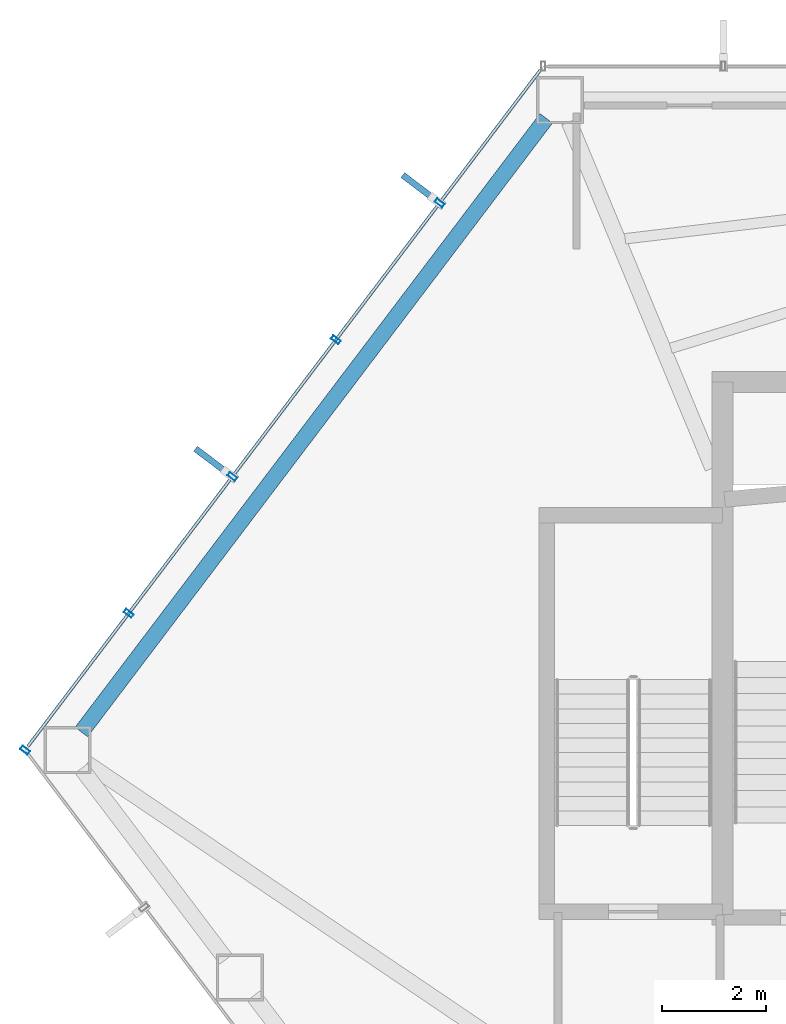
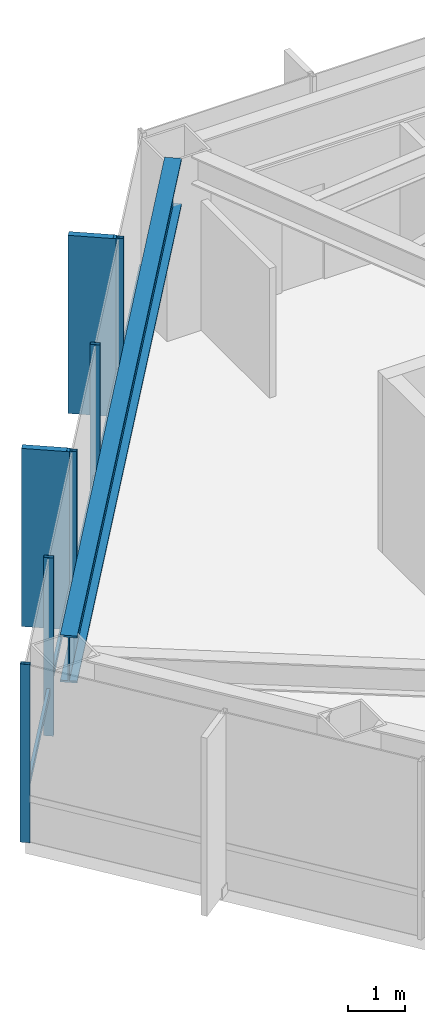
# One storey, part 10 of 24: 8 members, 1 beam, 1 element without a shape of its own.
"""IFC4 building model written with IfcOpenShell, lengths in metres."""

from ifc_helpers import new_model, si_unit, direction, frame, origin, origin_2d, place, context, subcontext, project, spatial, rectangle, hollow_rectangle, i_section, extrude, material, layer, layer_set, material_profile, profile_set, type_object, element, aggregate, save


model = new_model("IFC4")

# Units and contexts
model_context = context("Model", 3, precision=1e-05, world=origin(), true_north=direction((0.0, 1.0)))
body_context = subcontext(model_context, "Body", "Model", "MODEL_VIEW")
ifc_project = project(units=[si_unit("LENGTHUNIT", "METRE"), si_unit("AREAUNIT", "SQUARE_METRE"), si_unit("VOLUMEUNIT", "CUBIC_METRE"), si_unit("PLANEANGLEUNIT", "RADIAN"), si_unit("MASSUNIT", "GRAM", prefix="KILO")], contexts=[model_context])

# Site, building, storey
site_placement = place(None, origin())
site = spatial("IfcSite", under=ifc_project, at=site_placement, CompositionType="ELEMENT")
building_placement = place(site_placement, origin())
building = spatial("IfcBuilding", under=site, at=building_placement, Name="Zarrinselat Tower", CompositionType="ELEMENT")
storey_placement = place(building_placement, frame((0.0, 0.0, 96.89990234375)))
storey = spatial("IfcBuildingStorey", under=building, at=storey_placement, Name="L23", CompositionType="ELEMENT", Elevation=96.89990234375)

# Beam
ifc_material_1 = material(Name="Steel S460M", Category="steel")
ifc_material_profile_1 = material_profile(ifc_material_1, i_section(OverallWidth=0.302001953125, OverallDepth=1.008056640625, WebThickness=0.02099609375, FlangeThickness=0.0400390625, at=origin_2d()), Name="HEM 1000")
ifc_profile_set_1 = profile_set([ifc_material_profile_1], Name="Steel S460M")
beam_type = type_object("IfcBeamType", Name="BM-HEM1000", PredefinedType="BEAM", material=ifc_profile_set_1)
beam_placement = place(storey_placement, frame((16.31640625, 36.7451171875, 3.316162109375), z_axis=(0.603849401406, 0.797098425805, 0.0), x_axis=(-0.797098425805, 0.603849401406, 0.0)))
element("IfcBeam", 1, at=beam_placement, inside=storey, type_object=beam_type, Name="L23 Perimeter Spandrel Girder SP05", PredefinedType="BEAM", context=body_context, shape_type="SweptSolid", body=[
    extrude(i_section(OverallWidth=0.302001953125, OverallDepth=1.008056640625, WebThickness=0.02099609375, FlangeThickness=0.0400390625, at=origin_2d()), origin(), (0.0, 0.0, 1.0), 14.748291015625),
])

# Curtain wall, members
ifc_material_2 = material(Name="Extruded Aluminium Alloy EN AW-6063 T6", Category="aluminium")
ifc_layer = layer(ifc_material_2, 0.18505859375)
ifc_layer_set = layer_set([ifc_layer], Name="Extruded Aluminium Alloy EN AW-6063 T6")
curtain_wall_type = type_object("IfcCurtainWallType", Name="CWS-OFF", PredefinedType="NOTDEFINED", material=ifc_layer_set)
curtain_wall_placement = place(storey_placement, origin())
curtain_wall = element("IfcCurtainWall", 2, at=curtain_wall_placement, inside=storey, type_object=curtain_wall_type, Name="L23 Unitised Curtain Wall CW-L23-E02", PredefinedType="NOTDEFINED")
ifc_material_3 = material(Name="Extruded Aluminium Alloy EN AW-6063 T6", Category="aluminium")
ifc_material_profile_2 = material_profile(ifc_material_3, hollow_rectangle(XDim=0.080078125, YDim=0.179931640625, WallThickness=0.0048828125, at=origin_2d()), Name="RHS 180x80x5")
ifc_profile_set_2 = profile_set([ifc_material_profile_2], Name="Extruded Aluminium Alloy EN AW-6063 T6")
member_type_1 = type_object("IfcMemberType", Name="MEM-CW-MUL", PredefinedType="MULLION", material=ifc_profile_set_2)
member_1_placement = place(storey_placement, frame((23.17822265625, 46.879150390625, 0.0), z_axis=(0.0, 0.0, 1.0), x_axis=(-0.603854877249, -0.7970942775, 0.0)))
member_1 = element("IfcMember", 3, at=member_1_placement, type_object=member_type_1, Name="CW-L23-E02 Mullion 1", PredefinedType="MULLION", context=body_context, shape_type="SweptSolid", body=[
    extrude(hollow_rectangle(XDim=0.080078125, YDim=0.179931640625, WallThickness=0.0048828125, at=origin_2d()), origin(), (0.0, 0.0, 1.0), 3.820068359375),
])
member_2_placement = place(storey_placement, frame((21.192626953125, 44.25830078125, 0.0), z_axis=(0.0, 0.0, 1.0), x_axis=(-0.603854877249, -0.7970942775, 0.0)))
member_2 = element("IfcMember", 4, at=member_2_placement, type_object=member_type_1, Name="CW-L23-E02 Mullion 2", PredefinedType="MULLION", context=body_context, shape_type="SweptSolid", body=[
    extrude(hollow_rectangle(XDim=0.080078125, YDim=0.179931640625, WallThickness=0.0048828125, at=origin_2d()), origin(), (0.0, 0.0, 1.0), 3.820068359375),
])
member_3_placement = place(storey_placement, frame((19.207275390625, 41.6376953125, 0.0), z_axis=(0.0, 0.0, 1.0), x_axis=(-0.603854877249, -0.7970942775, 0.0)))
member_3 = element("IfcMember", 5, at=member_3_placement, type_object=member_type_1, Name="CW-L23-E02 Mullion 3", PredefinedType="MULLION", context=body_context, shape_type="SweptSolid", body=[
    extrude(hollow_rectangle(XDim=0.080078125, YDim=0.179931640625, WallThickness=0.0048828125, at=origin_2d()), origin(), (0.0, 0.0, 1.0), 3.820068359375),
])
member_4_placement = place(storey_placement, frame((17.2216796875, 39.016845703125, 0.0), z_axis=(0.0, 0.0, 1.0), x_axis=(-0.603854877249, -0.7970942775, 0.0)))
member_4 = element("IfcMember", 6, at=member_4_placement, type_object=member_type_1, Name="CW-L23-E02 Mullion 4", PredefinedType="MULLION", context=body_context, shape_type="SweptSolid", body=[
    extrude(hollow_rectangle(XDim=0.080078125, YDim=0.179931640625, WallThickness=0.0048828125, at=origin_2d()), origin(), (0.0, 0.0, 1.0), 3.820068359375),
])
member_5_placement = place(storey_placement, frame((15.236328125, 36.39599609375, 0.0), z_axis=(0.0, 0.0, 1.0), x_axis=(-0.603854877249, -0.7970942775, 0.0)))
member_5 = element("IfcMember", 7, at=member_5_placement, type_object=member_type_1, Name="CW-L23-E02 Mullion 5", PredefinedType="MULLION", context=body_context, shape_type="SweptSolid", body=[
    extrude(hollow_rectangle(XDim=0.080078125, YDim=0.179931640625, WallThickness=0.0048828125, at=origin_2d()), origin(), (0.0, 0.0, 1.0), 3.820068359375),
])
ifc_material_4 = material(Name="Extruded Aluminium Alloy EN AW-6063 T6", Category="aluminium")
ifc_material_profile_3 = material_profile(ifc_material_4, hollow_rectangle(XDim=0.06005859375, YDim=0.139892578125, WallThickness=0.00390625, at=origin_2d()), Name="RHS 140x60x4")
ifc_profile_set_3 = profile_set([ifc_material_profile_3], Name="Extruded Aluminium Alloy EN AW-6063 T6")
member_type_2 = type_object("IfcMemberType", Name="MEM-CW-TRN", PredefinedType="USERDEFINED", material=ifc_profile_set_3)
member_6_placement = place(storey_placement, frame((25.109375, 49.42822265625, 0.9501953125), z_axis=(-0.603860867961, -0.797089739079, 0.0), x_axis=(0.797089739079, -0.603860867961, 0.0)))
member_6 = element("IfcMember", 8, at=member_6_placement, type_object=member_type_2, Name="CW-L23-E02 Transom 1", ObjectType="TRANSOM", PredefinedType="USERDEFINED", context=body_context, shape_type="SweptSolid", body=[
    extrude(hollow_rectangle(XDim=0.06005859375, YDim=0.139892578125, WallThickness=0.00390625, at=origin_2d()), origin(), (0.0, 0.0, 1.0), 16.259765625),
])
ifc_material_5 = material(Name="Honed Cream Travertine Stone", Category="masonry")
ifc_material_profile_4 = material_profile(ifc_material_5, rectangle(XDim=0.1201171875, YDim=0.85009765625, at=origin_2d()), Name="FIN 850x120")
ifc_profile_set_4 = profile_set([ifc_material_profile_4], Name="Honed Cream Travertine Stone")
member_type_3 = type_object("IfcMemberType", Name="MEM-STONE-FIN", PredefinedType="USERDEFINED", material=ifc_profile_set_4)
member_7_placement = place(storey_placement, frame((22.8115234375, 47.156982421875, 0.0), z_axis=(0.0, 0.0, 1.0), x_axis=(0.603854877249, 0.7970942775, 0.0)))
member_7 = element("IfcMember", 9, at=member_7_placement, type_object=member_type_3, Name="L23 Stone Shading Fin CW-L23-E02-01", ObjectType="FIN", PredefinedType="USERDEFINED", context=body_context, shape_type="SweptSolid", body=[
    extrude(rectangle(XDim=0.1201171875, YDim=0.85009765625, at=origin_2d()), origin(), (0.0, 0.0, 1.0), 3.820068359375),
])
member_8_placement = place(storey_placement, frame((18.840576171875, 41.915283203125, 0.0), z_axis=(0.0, 0.0, 1.0), x_axis=(0.603854877249, 0.7970942775, 0.0)))
member_8 = element("IfcMember", 10, at=member_8_placement, type_object=member_type_3, Name="L23 Stone Shading Fin CW-L23-E02-03", ObjectType="FIN", PredefinedType="USERDEFINED", context=body_context, shape_type="SweptSolid", body=[
    extrude(rectangle(XDim=0.1201171875, YDim=0.85009765625, at=origin_2d()), origin(), (0.0, 0.0, 1.0), 3.820068359375),
])
aggregate(curtain_wall, [member_1, member_7, member_2, member_3, member_8, member_4, member_5, member_6])

save(model, "model.ifc")
